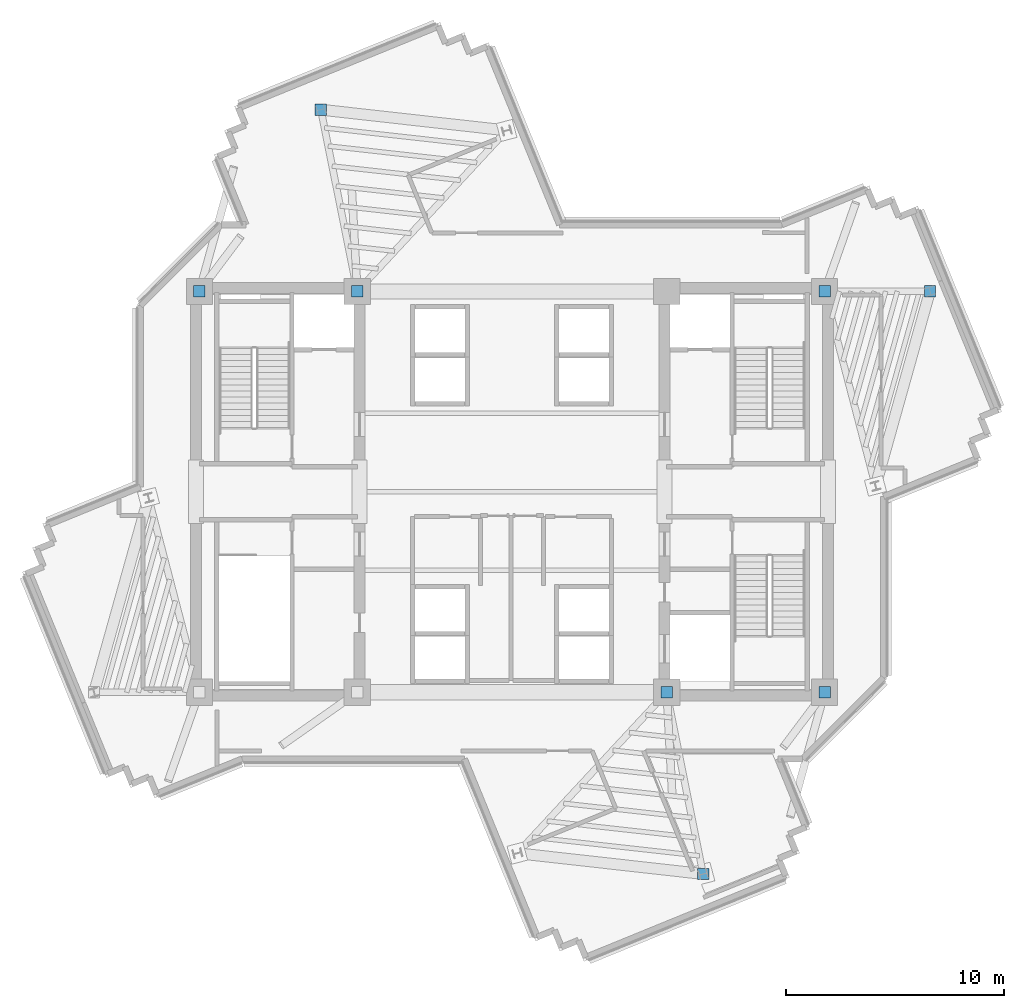
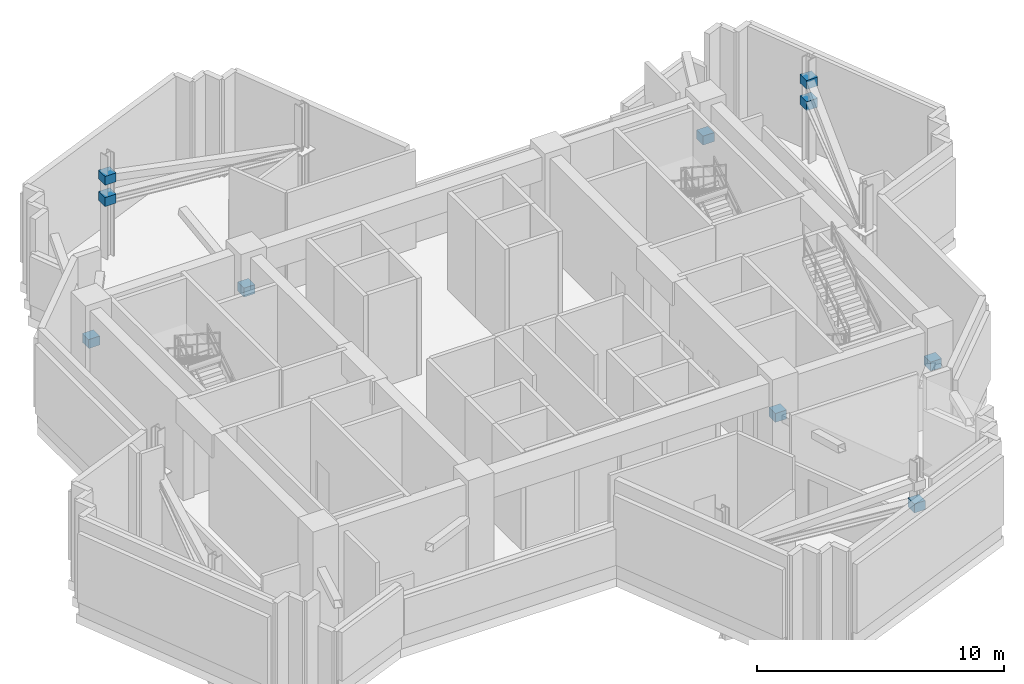
# One storey, part 7 of 11: 10 discrete accessories.
"""IFC4 building model written with IfcOpenShell, lengths in metres."""

from ifc_helpers import new_model, si_unit, direction, frame, origin, origin_2d, place, context, subcontext, project, spatial, rectangle, extrude, source, transform, mapped, material, type_object, element, save


model = new_model("IFC4")

# Units and contexts
model_context = context("Model", 3, precision=1e-05, world=origin(), true_north=direction((0.0, 1.0)))
body_context = subcontext(model_context, "Body", "Model", "MODEL_VIEW")
ifc_project = project(units=[si_unit("LENGTHUNIT", "METRE"), si_unit("AREAUNIT", "SQUARE_METRE"), si_unit("VOLUMEUNIT", "CUBIC_METRE"), si_unit("PLANEANGLEUNIT", "RADIAN"), si_unit("MASSUNIT", "GRAM", prefix="KILO")], contexts=[model_context])

# Site, building, storey
site_placement = place(None, origin())
site = spatial("IfcSite", under=ifc_project, at=site_placement, CompositionType="ELEMENT")
building_placement = place(site_placement, origin())
building = spatial("IfcBuilding", under=site, at=building_placement, Name="Zahravan Cultural Tower", CompositionType="ELEMENT")
storey_placement = place(building_placement, frame((0.0, 0.0, 229.199951171875)))
storey = spatial("IfcBuildingStorey", under=building, at=storey_placement, Name="L54", CompositionType="ELEMENT", Elevation=229.199951171875)

# Discrete accessories
ifc_material = material(Name="Steel ASTM A572 Grade 50", Category="steel")
discrete_accessory_type = type_object("IfcDiscreteAccessoryType", Name="ACC-BRACE-GUSSET", PredefinedType="BRACKET", material=ifc_material)
shared_shape = source(origin(), body_context, "Body", "SweptSolid", [
    extrude(rectangle(XDim=0.52001953125, YDim=0.52001953125, at=origin_2d()), origin(), (0.0, 0.0, 1.0), 0.43994140625),
])
for number, where, z_axis, x_axis, name in (
    (1, (44.77197265625, 9.458740234375, 2.68017578125), (0.0, 0.0, 1.0), (1.0, 0.0, 0.0), "L54 Brace End Gusset Connection 032"),
    (2, (55.184814453125, 36.2060546875, 3.72998046875), (0.0, 0.0, 1.0), (1.0, 0.0, 0.0), "L54 Brace End Gusset Connection 033"),
    (3, (55.184814453125, 36.2060546875, 2.68017578125), (0.0, 0.0, 1.0), (1.0, 0.0, 0.0), "L54 Brace End Gusset Connection 034"),
    (4, (27.22802734375, 44.541259765625, 3.72998046875), (0.0, 0.0, 1.0), (1.0, 0.0, 0.0), "L54 Brace End Gusset Connection 035"),
    (5, (27.22802734375, 44.541259765625, 2.68017578125), (0.0, 0.0, 1.0), (1.0, 0.0, 0.0), "L54 Brace End Gusset Connection 036"),
    (6, (28.89990234375, 36.199951171875, 2.68017578125), (0.0, 0.0, 1.0), (1.0, 0.0, 0.0), "L54 Brace End Gusset Connection 037"),
    (7, (21.64990234375, 36.199951171875, 2.68017578125), (0.0, 0.0, 1.0), (1.0, 0.0, 0.0), "L54 Brace End Gusset Connection 038"),
    (8, (43.10009765625, 17.800048828125, 2.68017578125), (0.0, 0.0, 1.0), (1.0, 0.0, 0.0), "L54 Brace End Gusset Connection 040"),
    (9, (50.35009765625, 17.800048828125, 2.68017578125), (0.0, 0.0, 1.0), (1.0, 0.0, 0.0), "L54 Brace End Gusset Connection 041"),
    (10, (50.35009765625, 36.199951171875, 2.68017578125), (0.0, 0.0, 1.0), (1.0, 0.0, 0.0), "L54 Brace End Gusset Connection 042"),
):
    element("IfcDiscreteAccessory", number, at=place(storey_placement, frame(where, z_axis=z_axis, x_axis=x_axis)), inside=storey, type_object=discrete_accessory_type, Name=name, PredefinedType="BRACKET", context=body_context, shape_type="MappedRepresentation", body=[
        mapped(shared_shape, transform((0.0, 0.0, 0.0), x_axis=(1.0, 0.0, 0.0), y_axis=(0.0, 1.0, 0.0), z_axis=(0.0, 0.0, 1.0), scale=1.0)),
    ])

save(model, "model.ifc")
